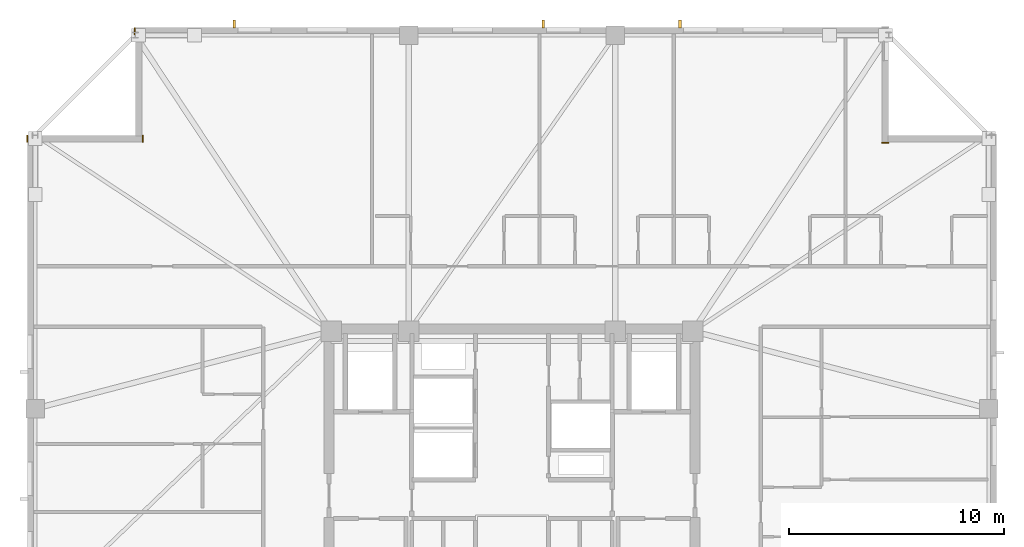
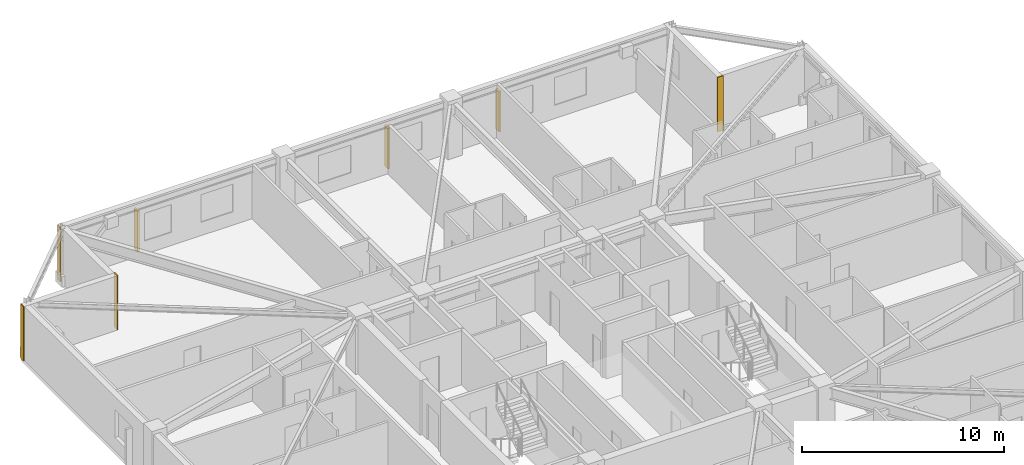
# One storey, part 16 of 17: 4 coverings, 3 shading devices.
"""IFC4 building model written with IfcOpenShell, lengths in metres."""

from ifc_helpers import new_model, si_unit, direction, frame, frame_2d, origin, origin_2d, place, context, subcontext, project, spatial, rectangle, extrude, material, layer, layer_set, type_object, element, save


model = new_model("IFC4")

# Units and contexts
model_context = context("Model", 3, precision=1e-05, world=origin(), true_north=direction((0.0, 1.0)))
body_context = subcontext(model_context, "Body", "Model", "MODEL_VIEW")
ifc_project = project(units=[si_unit("LENGTHUNIT", "METRE"), si_unit("AREAUNIT", "SQUARE_METRE"), si_unit("VOLUMEUNIT", "CUBIC_METRE"), si_unit("PLANEANGLEUNIT", "RADIAN"), si_unit("MASSUNIT", "GRAM", prefix="KILO")], contexts=[model_context])

# Site, building, storey
site_placement = place(None, origin())
site = spatial("IfcSite", under=ifc_project, at=site_placement, CompositionType="ELEMENT")
building_placement = place(site_placement, origin())
building = spatial("IfcBuilding", under=site, at=building_placement, Name="Cairnveth Concourse Tower", CompositionType="ELEMENT")
storey_placement = place(building_placement, frame((0.0, 0.0, 269.0)))
storey = spatial("IfcBuildingStorey", under=building, at=storey_placement, Name="L74", CompositionType="ELEMENT", Elevation=269.0)

# Coverings
ifc_material_1 = material(Name="Dressed Melbourne Bluestone Cladding", Category="masonry")
ifc_layer = layer(ifc_material_1, 0.050048828125)
ifc_layer_set = layer_set([ifc_layer], Name="Dressed Melbourne Bluestone Cladding")
covering_type = type_object("IfcCoveringType", Name="DRESSED BLUESTONE PLINTH CLADDING 50", PredefinedType="CLADDING", material=ifc_layer_set)
for number, where, z_axis, x_axis, name in (
    (1, (29.47998046875, 56.179931640625, 0.0), (0.0, 0.0, 1.0), (0.0, 1.0, 0.0), "Melbourne Bluestone Corner Quoin L74-1123"),
    (2, (34.840087890625, 56.179931640625, 0.0), (0.0, 0.0, 1.0), (0.0, 1.0, 0.0), "Melbourne Bluestone Corner Quoin L74-1124"),
    (3, (34.47998046875, 61.179931640625, 0.0), (0.0, 0.0, 1.0), (0.0, 1.0, 0.0), "Melbourne Bluestone Corner Quoin L74-1125"),
    (4, (69.179931640625, 56.159912109375, 0.0), (0.0, 0.0, 1.0), (1.0, 0.0, 0.0), "Melbourne Bluestone Corner Quoin L74-1127"),
):
    element("IfcCovering", number, at=place(storey_placement, frame(where, z_axis=z_axis, x_axis=x_axis)), inside=storey, type_object=covering_type, Name=name, PredefinedType="CLADDING", context=body_context, shape_type="SweptSolid", body=[
        extrude(rectangle(XDim=0.320068359375, YDim=0.050048828125, at=frame_2d((0.16015625, 0.0))), origin(), (0.0, 0.0, 1.0), 3.2900390625),
    ])

# Shading devices
ifc_material_2 = material(Name="Architectural Bronze Anodised Aluminium 6063-T6", Category="aluminium")
shading_device_type = type_object("IfcShadingDeviceType", Name="GOTHIC BRONZE VERTICAL LANCET FIN", PredefinedType="USERDEFINED", material=ifc_material_2)
for number, where, z_axis, x_axis, name in (
    (5, (39.1025390625, 61.675048828125, 0.030029296875), (0.0, 0.0, 1.0), (1.0, 0.0, 0.0), "Gothic Bronze Vertical Fin L74-6-1"),
    (6, (53.45361328125, 61.675048828125, 0.030029296875), (0.0, 0.0, 1.0), (1.0, 0.0, 0.0), "Gothic Bronze Vertical Fin L74-6-5"),
    (7, (59.80419921875, 61.675048828125, 0.030029296875), (0.0, 0.0, 1.0), (1.0, 0.0, 0.0), "Gothic Bronze Vertical Fin L74-6-7"),
):
    element("IfcShadingDevice", number, at=place(storey_placement, frame(where, z_axis=z_axis, x_axis=x_axis)), inside=storey, type_object=shading_device_type, Name=name, ObjectType="VERTICAL FIN", PredefinedType="USERDEFINED", context=body_context, shape_type="SweptSolid", body=[
        extrude(rectangle(XDim=0.1201171875, YDim=0.360107421875, at=origin_2d()), origin(), (0.0, 0.0, 1.0), 2.43798828125),
    ])

save(model, "model.ifc")
